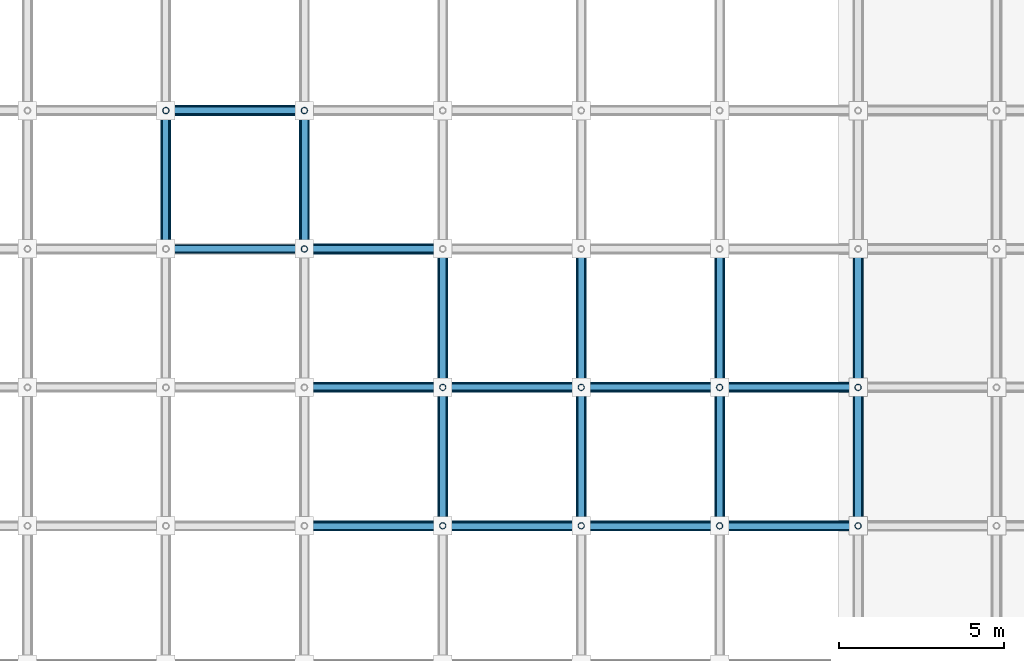
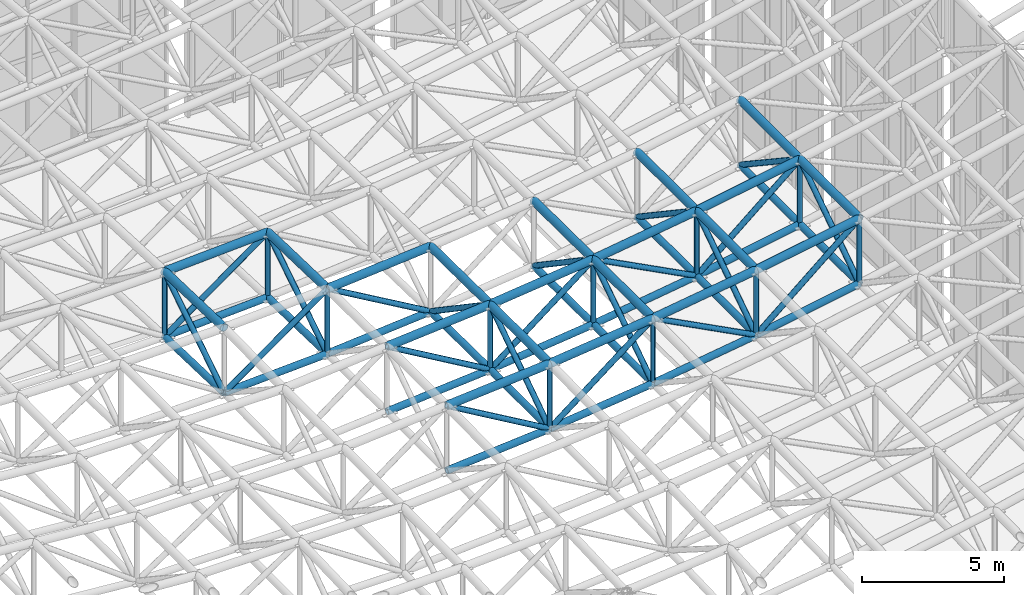
# One storey, part 32 of 93: 73 members.
"""IFC4 building model written with IfcOpenShell, lengths in metres."""

from ifc_helpers import new_model, si_unit, direction, frame, origin, origin_2d, place, context, subcontext, project, spatial, hollow_circle, extrude, material, material_profile, profile_set, type_object, element, save


model = new_model("IFC4")

# Units and contexts
model_context = context("Model", 3, precision=1e-05, world=origin(), true_north=direction((0.0, 1.0)))
body_context = subcontext(model_context, "Body", "Model", "MODEL_VIEW")
ifc_project = project(units=[si_unit("LENGTHUNIT", "METRE"), si_unit("AREAUNIT", "SQUARE_METRE"), si_unit("VOLUMEUNIT", "CUBIC_METRE"), si_unit("PLANEANGLEUNIT", "RADIAN"), si_unit("MASSUNIT", "GRAM", prefix="KILO")], contexts=[model_context])

# Site, building, storey
site_placement = place(None, origin())
site = spatial("IfcSite", under=ifc_project, at=site_placement, CompositionType="ELEMENT")
building_placement = place(site_placement, origin())
building = spatial("IfcBuilding", under=site, at=building_placement, Name="Cumbredor Promenade Congress Hotel", CompositionType="ELEMENT")
storey_placement = place(building_placement, frame((0.0, 0.0, 21.840087890625)))
storey = spatial("IfcBuildingStorey", under=building, at=storey_placement, Name="L06", CompositionType="ELEMENT", Elevation=21.840087890625)

# Members
ifc_material = material(Name="Steel ASTM A500 Grade C", Category="steel")
ifc_material_profile_1 = material_profile(ifc_material, hollow_circle(Radius=0.136474609375, WallThickness=0.01611328125, at=origin_2d()), Name="CHS 273.0x16")
ifc_profile_set_1 = profile_set([ifc_material_profile_1], Name="Steel ASTM A500 Grade C")
member_type_1 = type_object("IfcMemberType", Name="Plenary Roof Space Frame Bottom Chord", PredefinedType="CHORD", material=ifc_profile_set_1)
member_1_placement = place(storey_placement, frame((42.0, 33.60009765625, 8.203369140625), z_axis=(0.996737619939, 0.0, 0.080710079903), x_axis=(0.0, 1.0, 0.0)))
element("IfcMember", 1, at=member_1_placement, inside=storey, type_object=member_type_1, Name="Plenary Congress Hall X Bottom Chord 12.9", PredefinedType="CHORD", context=body_context, shape_type="SweptSolid", body=[
    extrude(hollow_circle(Radius=0.136474609375, WallThickness=0.01611328125, at=origin_2d()), origin(), (0.0, 0.0, 1.0), 4.213623046875),
])
member_2_placement = place(storey_placement, frame((46.199951171875, 33.60009765625, 8.54345703125), z_axis=(0.99363687889, 0.0, 0.112631047715), x_axis=(0.0, 1.0, 0.0)))
element("IfcMember", 2, at=member_2_placement, inside=storey, type_object=member_type_1, Name="Plenary Congress Hall X Bottom Chord 13.9", PredefinedType="CHORD", context=body_context, shape_type="SweptSolid", body=[
    extrude(hollow_circle(Radius=0.136474609375, WallThickness=0.01611328125, at=origin_2d()), origin(), (0.0, 0.0, 1.0), 4.226806640625),
])
member_3_placement = place(storey_placement, frame((50.39990234375, 33.60009765625, 9.01953125), z_axis=(0.989556923494, 0.0, 0.144142620918), x_axis=(0.0, 1.0, 0.0)))
element("IfcMember", 3, at=member_3_placement, inside=storey, type_object=member_type_1, Name="Plenary Congress Hall X Bottom Chord 14.9", PredefinedType="CHORD", context=body_context, shape_type="SweptSolid", body=[
    extrude(hollow_circle(Radius=0.136474609375, WallThickness=0.01611328125, at=origin_2d()), origin(), (0.0, 0.0, 1.0), 4.24462890625),
])
member_4_placement = place(storey_placement, frame((54.60009765625, 33.60009765625, 9.63134765625), z_axis=(0.984496470667, 0.0, 0.175404387758), x_axis=(0.0, 1.0, 0.0)))
element("IfcMember", 4, at=member_4_placement, inside=storey, type_object=member_type_1, Name="Plenary Congress Hall X Bottom Chord 15.9", PredefinedType="CHORD", context=body_context, shape_type="SweptSolid", body=[
    extrude(hollow_circle(Radius=0.136474609375, WallThickness=0.01611328125, at=origin_2d()), origin(), (0.0, 0.0, 1.0), 4.26611328125),
])
member_5_placement = place(storey_placement, frame((42.0, 37.800048828125, 8.203369140625), z_axis=(0.996737619939, 0.0, 0.080710079903), x_axis=(0.0, 1.0, 0.0)))
element("IfcMember", 5, at=member_5_placement, inside=storey, type_object=member_type_1, Name="Plenary Congress Hall X Bottom Chord 12.10", PredefinedType="CHORD", context=body_context, shape_type="SweptSolid", body=[
    extrude(hollow_circle(Radius=0.136474609375, WallThickness=0.01611328125, at=origin_2d()), origin(), (0.0, 0.0, 1.0), 4.213623046875),
])
member_6_placement = place(storey_placement, frame((46.199951171875, 37.800048828125, 8.54345703125), z_axis=(0.99363687889, 0.0, 0.112631047715), x_axis=(0.0, 1.0, 0.0)))
element("IfcMember", 6, at=member_6_placement, inside=storey, type_object=member_type_1, Name="Plenary Congress Hall X Bottom Chord 13.10", PredefinedType="CHORD", context=body_context, shape_type="SweptSolid", body=[
    extrude(hollow_circle(Radius=0.136474609375, WallThickness=0.01611328125, at=origin_2d()), origin(), (0.0, 0.0, 1.0), 4.226806640625),
])
member_7_placement = place(storey_placement, frame((50.39990234375, 37.800048828125, 9.01953125), z_axis=(0.989556923494, 0.0, 0.144142620918), x_axis=(0.0, 1.0, 0.0)))
element("IfcMember", 7, at=member_7_placement, inside=storey, type_object=member_type_1, Name="Plenary Congress Hall X Bottom Chord 14.10", PredefinedType="CHORD", context=body_context, shape_type="SweptSolid", body=[
    extrude(hollow_circle(Radius=0.136474609375, WallThickness=0.01611328125, at=origin_2d()), origin(), (0.0, 0.0, 1.0), 4.24462890625),
])
member_8_placement = place(storey_placement, frame((54.60009765625, 37.800048828125, 9.63134765625), z_axis=(0.984496470667, 0.0, 0.175404387758), x_axis=(0.0, 1.0, 0.0)))
element("IfcMember", 8, at=member_8_placement, inside=storey, type_object=member_type_1, Name="Plenary Congress Hall X Bottom Chord 15.10", PredefinedType="CHORD", context=body_context, shape_type="SweptSolid", body=[
    extrude(hollow_circle(Radius=0.136474609375, WallThickness=0.01611328125, at=origin_2d()), origin(), (0.0, 0.0, 1.0), 4.26611328125),
])
member_9_placement = place(storey_placement, frame((37.800048828125, 42.0, 7.934814453125), z_axis=(0.998749876407, 0.0, 0.049986842038), x_axis=(0.0, 1.0, 0.0)))
element("IfcMember", 9, at=member_9_placement, inside=storey, type_object=member_type_1, Name="Plenary Congress Hall X Bottom Chord 11.11", PredefinedType="CHORD", context=body_context, shape_type="SweptSolid", body=[
    extrude(hollow_circle(Radius=0.136474609375, WallThickness=0.01611328125, at=origin_2d()), origin(), (0.0, 0.0, 1.0), 4.205322265625),
])
member_10_placement = place(storey_placement, frame((42.0, 42.0, 8.14501953125), z_axis=(0.996534162961, 0.0, 0.083184506075), x_axis=(0.0, 1.0, 0.0)))
element("IfcMember", 10, at=member_10_placement, inside=storey, type_object=member_type_1, Name="Plenary Congress Hall X Bottom Chord 12.11", PredefinedType="CHORD", context=body_context, shape_type="SweptSolid", body=[
    extrude(hollow_circle(Radius=0.136474609375, WallThickness=0.01611328125, at=origin_2d()), origin(), (0.0, 0.0, 1.0), 4.214599609375),
])
member_11_placement = place(storey_placement, frame((37.800048828125, 46.199951171875, 7.80615234375), z_axis=(0.998597712555, 0.0, 0.052939668305), x_axis=(0.0, 1.0, 0.0)))
element("IfcMember", 11, at=member_11_placement, inside=storey, type_object=member_type_1, Name="Plenary Congress Hall X Bottom Chord 11.12", PredefinedType="CHORD", context=body_context, shape_type="SweptSolid", body=[
    extrude(hollow_circle(Radius=0.136474609375, WallThickness=0.01611328125, at=origin_2d()), origin(), (0.0, 0.0, 1.0), 4.205810546875),
])
member_12_placement = place(storey_placement, frame((37.800048828125, 42.0, 7.934814453125), z_axis=(0.0, 0.999531103152, -0.030619827435), x_axis=(-1.0, 0.0, 0.0)))
element("IfcMember", 12, at=member_12_placement, inside=storey, type_object=member_type_1, Name="Plenary Congress Hall Y Bottom Chord 11.11", PredefinedType="CHORD", context=body_context, shape_type="SweptSolid", body=[
    extrude(hollow_circle(Radius=0.136474609375, WallThickness=0.01611328125, at=origin_2d()), origin(), (0.0, 0.0, 1.0), 4.201904296875),
])
member_13_placement = place(storey_placement, frame((42.0, 42.0, 8.14501953125), z_axis=(0.0, 0.999617416492, -0.027659006583), x_axis=(-1.0, 0.0, 0.0)))
element("IfcMember", 13, at=member_13_placement, inside=storey, type_object=member_type_1, Name="Plenary Congress Hall Y Bottom Chord 12.11", PredefinedType="CHORD", context=body_context, shape_type="SweptSolid", body=[
    extrude(hollow_circle(Radius=0.136474609375, WallThickness=0.01611328125, at=origin_2d()), origin(), (0.0, 0.0, 1.0), 4.20166015625),
])
member_14_placement = place(storey_placement, frame((46.199951171875, 33.60009765625, 8.54345703125), z_axis=(0.0, 1.0, 0.0), x_axis=(-1.0, 0.0, 0.0)))
element("IfcMember", 14, at=member_14_placement, inside=storey, type_object=member_type_1, Name="Plenary Congress Hall Y Bottom Chord 13.9", PredefinedType="CHORD", context=body_context, shape_type="SweptSolid", body=[
    extrude(hollow_circle(Radius=0.136474609375, WallThickness=0.01611328125, at=origin_2d()), origin(), (0.0, 0.0, 1.0), 4.199951171875),
])
member_15_placement = place(storey_placement, frame((46.199951171875, 37.800048828125, 8.54345703125), z_axis=(0.0, 0.999935101974, -0.011392622216), x_axis=(-1.0, 0.0, 0.0)))
element("IfcMember", 15, at=member_15_placement, inside=storey, type_object=member_type_1, Name="Plenary Congress Hall Y Bottom Chord 13.10", PredefinedType="CHORD", context=body_context, shape_type="SweptSolid", body=[
    extrude(hollow_circle(Radius=0.136474609375, WallThickness=0.01611328125, at=origin_2d()), origin(), (0.0, 0.0, 1.0), 4.2001953125),
])
member_16_placement = place(storey_placement, frame((50.39990234375, 33.60009765625, 9.01953125), z_axis=(0.0, 1.0, 0.0), x_axis=(-1.0, 0.0, 0.0)))
element("IfcMember", 16, at=member_16_placement, inside=storey, type_object=member_type_1, Name="Plenary Congress Hall Y Bottom Chord 14.9", PredefinedType="CHORD", context=body_context, shape_type="SweptSolid", body=[
    extrude(hollow_circle(Radius=0.136474609375, WallThickness=0.01611328125, at=origin_2d()), origin(), (0.0, 0.0, 1.0), 4.199951171875),
])
member_17_placement = place(storey_placement, frame((50.39990234375, 37.800048828125, 9.01953125), z_axis=(0.0, 0.999967826461, -0.008021598561), x_axis=(-1.0, 0.0, 0.0)))
element("IfcMember", 17, at=member_17_placement, inside=storey, type_object=member_type_1, Name="Plenary Congress Hall Y Bottom Chord 14.10", PredefinedType="CHORD", context=body_context, shape_type="SweptSolid", body=[
    extrude(hollow_circle(Radius=0.136474609375, WallThickness=0.01611328125, at=origin_2d()), origin(), (0.0, 0.0, 1.0), 4.2001953125),
])
for number, where, z_axis, x_axis, name in (
    (18, (54.60009765625, 33.60009765625, 9.63134765625), (0.0, 1.0, 0.0), (-1.0, 0.0, 0.0), "Plenary Congress Hall Y Bottom Chord 15.9"),
    (19, (54.60009765625, 37.800048828125, 9.63134765625), (0.0, 0.999993917807, -0.003487742549), (-1.0, 0.0, 0.0), "Plenary Congress Hall Y Bottom Chord 15.10"),
    (20, (58.800048828125, 33.60009765625, 10.379638671875), (0.0, 1.0, 0.0), (-1.0, 0.0, 0.0), "Plenary Congress Hall Y Bottom Chord 16.9"),
    (21, (58.800048828125, 37.800048828125, 10.379638671875), (0.0, 0.999998160125, 0.00191826654), (-1.0, 0.0, 0.0), "Plenary Congress Hall Y Bottom Chord 16.10"),
):
    element("IfcMember", number, at=place(storey_placement, frame(where, z_axis=z_axis, x_axis=x_axis)), inside=storey, type_object=member_type_1, Name=name, PredefinedType="CHORD", context=body_context, shape_type="SweptSolid", body=[
        extrude(hollow_circle(Radius=0.136474609375, WallThickness=0.01611328125, at=origin_2d()), origin(), (0.0, 0.0, 1.0), 4.199951171875),
    ])
ifc_material_profile_2 = material_profile(ifc_material, hollow_circle(Radius=0.161865234375, WallThickness=0.01611328125, at=origin_2d()), Name="CHS 323.9x16")
ifc_profile_set_2 = profile_set([ifc_material_profile_2], Name="Steel ASTM A500 Grade C")
member_type_2 = type_object("IfcMemberType", Name="Plenary Roof Space Frame Top Chord", PredefinedType="CHORD", material=ifc_profile_set_2)
member_18_placement = place(storey_placement, frame((42.0, 33.60009765625, 11.00341796875), z_axis=(0.996737619939, 0.0, 0.080710079903), x_axis=(0.0, 1.0, 0.0)))
element("IfcMember", 22, at=member_18_placement, inside=storey, type_object=member_type_2, Name="Plenary Congress Hall X Top Chord 12.9", PredefinedType="CHORD", context=body_context, shape_type="SweptSolid", body=[
    extrude(hollow_circle(Radius=0.161865234375, WallThickness=0.01611328125, at=origin_2d()), origin(), (0.0, 0.0, 1.0), 4.213623046875),
])
member_19_placement = place(storey_placement, frame((46.199951171875, 33.60009765625, 11.343505859375), z_axis=(0.99363687889, 0.0, 0.112631047715), x_axis=(0.0, 1.0, 0.0)))
element("IfcMember", 23, at=member_19_placement, inside=storey, type_object=member_type_2, Name="Plenary Congress Hall X Top Chord 13.9", PredefinedType="CHORD", context=body_context, shape_type="SweptSolid", body=[
    extrude(hollow_circle(Radius=0.161865234375, WallThickness=0.01611328125, at=origin_2d()), origin(), (0.0, 0.0, 1.0), 4.226806640625),
])
member_20_placement = place(storey_placement, frame((50.39990234375, 33.60009765625, 11.819580078125), z_axis=(0.989556923494, 0.0, 0.144142620918), x_axis=(0.0, 1.0, 0.0)))
element("IfcMember", 24, at=member_20_placement, inside=storey, type_object=member_type_2, Name="Plenary Congress Hall X Top Chord 14.9", PredefinedType="CHORD", context=body_context, shape_type="SweptSolid", body=[
    extrude(hollow_circle(Radius=0.161865234375, WallThickness=0.01611328125, at=origin_2d()), origin(), (0.0, 0.0, 1.0), 4.24462890625),
])
member_21_placement = place(storey_placement, frame((54.60009765625, 33.60009765625, 12.431396484375), z_axis=(0.984496470667, 0.0, 0.175404387758), x_axis=(0.0, 1.0, 0.0)))
element("IfcMember", 25, at=member_21_placement, inside=storey, type_object=member_type_2, Name="Plenary Congress Hall X Top Chord 15.9", PredefinedType="CHORD", context=body_context, shape_type="SweptSolid", body=[
    extrude(hollow_circle(Radius=0.161865234375, WallThickness=0.01611328125, at=origin_2d()), origin(), (0.0, 0.0, 1.0), 4.26611328125),
])
member_22_placement = place(storey_placement, frame((42.0, 37.800048828125, 11.00341796875), z_axis=(0.996737619939, 0.0, 0.080710079903), x_axis=(0.0, 1.0, 0.0)))
element("IfcMember", 26, at=member_22_placement, inside=storey, type_object=member_type_2, Name="Plenary Congress Hall X Top Chord 12.10", PredefinedType="CHORD", context=body_context, shape_type="SweptSolid", body=[
    extrude(hollow_circle(Radius=0.161865234375, WallThickness=0.01611328125, at=origin_2d()), origin(), (0.0, 0.0, 1.0), 4.213623046875),
])
member_23_placement = place(storey_placement, frame((46.199951171875, 37.800048828125, 11.343505859375), z_axis=(0.99363687889, 0.0, 0.112631047715), x_axis=(0.0, 1.0, 0.0)))
element("IfcMember", 27, at=member_23_placement, inside=storey, type_object=member_type_2, Name="Plenary Congress Hall X Top Chord 13.10", PredefinedType="CHORD", context=body_context, shape_type="SweptSolid", body=[
    extrude(hollow_circle(Radius=0.161865234375, WallThickness=0.01611328125, at=origin_2d()), origin(), (0.0, 0.0, 1.0), 4.226806640625),
])
member_24_placement = place(storey_placement, frame((50.39990234375, 37.800048828125, 11.819580078125), z_axis=(0.989556923494, 0.0, 0.144142620918), x_axis=(0.0, 1.0, 0.0)))
element("IfcMember", 28, at=member_24_placement, inside=storey, type_object=member_type_2, Name="Plenary Congress Hall X Top Chord 14.10", PredefinedType="CHORD", context=body_context, shape_type="SweptSolid", body=[
    extrude(hollow_circle(Radius=0.161865234375, WallThickness=0.01611328125, at=origin_2d()), origin(), (0.0, 0.0, 1.0), 4.24462890625),
])
member_25_placement = place(storey_placement, frame((54.60009765625, 37.800048828125, 12.431396484375), z_axis=(0.984496470667, 0.0, 0.175404387758), x_axis=(0.0, 1.0, 0.0)))
element("IfcMember", 29, at=member_25_placement, inside=storey, type_object=member_type_2, Name="Plenary Congress Hall X Top Chord 15.10", PredefinedType="CHORD", context=body_context, shape_type="SweptSolid", body=[
    extrude(hollow_circle(Radius=0.161865234375, WallThickness=0.01611328125, at=origin_2d()), origin(), (0.0, 0.0, 1.0), 4.26611328125),
])
member_26_placement = place(storey_placement, frame((42.0, 42.0, 10.945068359375), z_axis=(0.996538963329, 0.0, 0.083126978572), x_axis=(0.0, 1.0, 0.0)))
element("IfcMember", 30, at=member_26_placement, inside=storey, type_object=member_type_2, Name="Plenary Congress Hall X Top Chord 12.11", PredefinedType="CHORD", context=body_context, shape_type="SweptSolid", body=[
    extrude(hollow_circle(Radius=0.161865234375, WallThickness=0.01611328125, at=origin_2d()), origin(), (0.0, 0.0, 1.0), 4.214599609375),
])
member_27_placement = place(storey_placement, frame((37.800048828125, 46.199951171875, 10.606201171875), z_axis=(0.998600779613, 0.0, 0.052881782842), x_axis=(0.0, 1.0, 0.0)))
element("IfcMember", 31, at=member_27_placement, inside=storey, type_object=member_type_2, Name="Plenary Congress Hall X Top Chord 11.12", PredefinedType="CHORD", context=body_context, shape_type="SweptSolid", body=[
    extrude(hollow_circle(Radius=0.161865234375, WallThickness=0.01611328125, at=origin_2d()), origin(), (0.0, 0.0, 1.0), 4.205810546875),
])
member_28_placement = place(storey_placement, frame((37.800048828125, 42.0, 10.73486328125), z_axis=(0.0, 0.999531103152, -0.030619827435), x_axis=(-1.0, 0.0, 0.0)))
element("IfcMember", 32, at=member_28_placement, inside=storey, type_object=member_type_2, Name="Plenary Congress Hall Y Top Chord 11.11", PredefinedType="CHORD", context=body_context, shape_type="SweptSolid", body=[
    extrude(hollow_circle(Radius=0.161865234375, WallThickness=0.01611328125, at=origin_2d()), origin(), (0.0, 0.0, 1.0), 4.201904296875),
])
member_29_placement = place(storey_placement, frame((42.0, 42.0, 10.945068359375), z_axis=(0.0, 0.999615808237, -0.027717069147), x_axis=(-1.0, 0.0, 0.0)))
element("IfcMember", 33, at=member_29_placement, inside=storey, type_object=member_type_2, Name="Plenary Congress Hall Y Top Chord 12.11", PredefinedType="CHORD", context=body_context, shape_type="SweptSolid", body=[
    extrude(hollow_circle(Radius=0.161865234375, WallThickness=0.01611328125, at=origin_2d()), origin(), (0.0, 0.0, 1.0), 4.20166015625),
])
member_30_placement = place(storey_placement, frame((46.199951171875, 33.60009765625, 11.343505859375), z_axis=(0.0, 1.0, 0.0), x_axis=(-1.0, 0.0, 0.0)))
element("IfcMember", 34, at=member_30_placement, inside=storey, type_object=member_type_2, Name="Plenary Congress Hall Y Top Chord 13.9", PredefinedType="CHORD", context=body_context, shape_type="SweptSolid", body=[
    extrude(hollow_circle(Radius=0.161865234375, WallThickness=0.01611328125, at=origin_2d()), origin(), (0.0, 0.0, 1.0), 4.199951171875),
])
member_31_placement = place(storey_placement, frame((46.199951171875, 37.800048828125, 11.343505859375), z_axis=(0.0, 0.999934438125, -0.011450740238), x_axis=(-1.0, 0.0, 0.0)))
element("IfcMember", 35, at=member_31_placement, inside=storey, type_object=member_type_2, Name="Plenary Congress Hall Y Top Chord 13.10", PredefinedType="CHORD", context=body_context, shape_type="SweptSolid", body=[
    extrude(hollow_circle(Radius=0.161865234375, WallThickness=0.01611328125, at=origin_2d()), origin(), (0.0, 0.0, 1.0), 4.2001953125),
])
member_32_placement = place(storey_placement, frame((50.39990234375, 33.60009765625, 11.819580078125), z_axis=(0.0, 1.0, 0.0), x_axis=(-1.0, 0.0, 0.0)))
element("IfcMember", 36, at=member_32_placement, inside=storey, type_object=member_type_2, Name="Plenary Congress Hall Y Top Chord 14.9", PredefinedType="CHORD", context=body_context, shape_type="SweptSolid", body=[
    extrude(hollow_circle(Radius=0.161865234375, WallThickness=0.01611328125, at=origin_2d()), origin(), (0.0, 0.0, 1.0), 4.199951171875),
])
member_33_placement = place(storey_placement, frame((50.39990234375, 37.800048828125, 11.819580078125), z_axis=(0.0, 0.999967826461, -0.008021598561), x_axis=(-1.0, 0.0, 0.0)))
element("IfcMember", 37, at=member_33_placement, inside=storey, type_object=member_type_2, Name="Plenary Congress Hall Y Top Chord 14.10", PredefinedType="CHORD", context=body_context, shape_type="SweptSolid", body=[
    extrude(hollow_circle(Radius=0.161865234375, WallThickness=0.01611328125, at=origin_2d()), origin(), (0.0, 0.0, 1.0), 4.2001953125),
])
for number, where, z_axis, x_axis, name in (
    (38, (54.60009765625, 33.60009765625, 12.431396484375), (0.0, 1.0, 0.0), (-1.0, 0.0, 0.0), "Plenary Congress Hall Y Top Chord 15.9"),
    (39, (54.60009765625, 37.800048828125, 12.431396484375), (0.0, 0.99999371338, -0.003545870866), (-1.0, 0.0, 0.0), "Plenary Congress Hall Y Top Chord 15.10"),
    (40, (58.800048828125, 33.60009765625, 13.1796875), (0.0, 1.0, 0.0), (-1.0, 0.0, 0.0), "Plenary Congress Hall Y Top Chord 16.9"),
    (41, (58.800048828125, 37.800048828125, 13.1796875), (0.0, 0.999998269943, 0.001860137455), (-1.0, 0.0, 0.0), "Plenary Congress Hall Y Top Chord 16.10"),
):
    element("IfcMember", number, at=place(storey_placement, frame(where, z_axis=z_axis, x_axis=x_axis)), inside=storey, type_object=member_type_2, Name=name, PredefinedType="CHORD", context=body_context, shape_type="SweptSolid", body=[
        extrude(hollow_circle(Radius=0.161865234375, WallThickness=0.01611328125, at=origin_2d()), origin(), (0.0, 0.0, 1.0), 4.199951171875),
    ])
ifc_material_profile_3 = material_profile(ifc_material, hollow_circle(Radius=0.109619140625, WallThickness=0.012451171875, at=origin_2d()), Name="CHS 219.1x12.5")
ifc_profile_set_3 = profile_set([ifc_material_profile_3], Name="Steel ASTM A500 Grade C")
member_type_3 = type_object("IfcMemberType", Name="Space Frame Web Diagonal D1", PredefinedType="BRACE", material=ifc_profile_set_3)
member_34_placement = place(storey_placement, frame((42.0, 33.60009765625, 11.00341796875), z_axis=(0.862884298587, 0.0, -0.505401510932), x_axis=(0.0, 1.0, 0.0)))
element("IfcMember", 42, at=member_34_placement, inside=storey, type_object=member_type_3, Name="Plenary Congress Hall X Web Diagonal 12.9", PredefinedType="BRACE", context=body_context, shape_type="SweptSolid", body=[
    extrude(hollow_circle(Radius=0.109619140625, WallThickness=0.012451171875, at=origin_2d()), origin(), (0.0, 0.0, 1.0), 4.867431640625),
])
member_35_placement = place(storey_placement, frame((46.199951171875, 33.60009765625, 8.54345703125), z_axis=(0.788487635623, 0.0, 0.61505060643), x_axis=(0.0, 1.0, 0.0)))
element("IfcMember", 43, at=member_35_placement, inside=storey, type_object=member_type_3, Name="Plenary Congress Hall X Web Diagonal 13.9", PredefinedType="BRACE", context=body_context, shape_type="SweptSolid", body=[
    extrude(hollow_circle(Radius=0.109619140625, WallThickness=0.012451171875, at=origin_2d()), origin(), (0.0, 0.0, 1.0), 5.32666015625),
])
member_36_placement = place(storey_placement, frame((50.39990234375, 33.60009765625, 11.819580078125), z_axis=(0.886859518815, 0.0, -0.462039169213), x_axis=(0.0, 1.0, 0.0)))
element("IfcMember", 44, at=member_36_placement, inside=storey, type_object=member_type_3, Name="Plenary Congress Hall X Web Diagonal 14.9", PredefinedType="BRACE", context=body_context, shape_type="SweptSolid", body=[
    extrude(hollow_circle(Radius=0.109619140625, WallThickness=0.012451171875, at=origin_2d()), origin(), (0.0, 0.0, 1.0), 4.736083984375),
])
member_37_placement = place(storey_placement, frame((54.60009765625, 33.60009765625, 9.63134765625), z_axis=(0.763876190168, 0.0, 0.64536281741), x_axis=(0.0, 1.0, 0.0)))
element("IfcMember", 45, at=member_37_placement, inside=storey, type_object=member_type_3, Name="Plenary Congress Hall X Web Diagonal 15.9", PredefinedType="BRACE", context=body_context, shape_type="SweptSolid", body=[
    extrude(hollow_circle(Radius=0.109619140625, WallThickness=0.012451171875, at=origin_2d()), origin(), (0.0, 0.0, 1.0), 5.498291015625),
])
member_38_placement = place(storey_placement, frame((42.0, 37.800048828125, 11.00341796875), z_axis=(0.862884298587, 0.0, -0.505401510932), x_axis=(0.0, 1.0, 0.0)))
element("IfcMember", 46, at=member_38_placement, inside=storey, type_object=member_type_3, Name="Plenary Congress Hall X Web Diagonal 12.10", PredefinedType="BRACE", context=body_context, shape_type="SweptSolid", body=[
    extrude(hollow_circle(Radius=0.109619140625, WallThickness=0.012451171875, at=origin_2d()), origin(), (0.0, 0.0, 1.0), 4.867431640625),
])
member_39_placement = place(storey_placement, frame((46.199951171875, 37.800048828125, 8.54345703125), z_axis=(0.788487635623, 0.0, 0.61505060643), x_axis=(0.0, 1.0, 0.0)))
element("IfcMember", 47, at=member_39_placement, inside=storey, type_object=member_type_3, Name="Plenary Congress Hall X Web Diagonal 13.10", PredefinedType="BRACE", context=body_context, shape_type="SweptSolid", body=[
    extrude(hollow_circle(Radius=0.109619140625, WallThickness=0.012451171875, at=origin_2d()), origin(), (0.0, 0.0, 1.0), 5.32666015625),
])
member_40_placement = place(storey_placement, frame((50.39990234375, 37.800048828125, 11.819580078125), z_axis=(0.886859518815, 0.0, -0.462039169213), x_axis=(0.0, 1.0, 0.0)))
element("IfcMember", 48, at=member_40_placement, inside=storey, type_object=member_type_3, Name="Plenary Congress Hall X Web Diagonal 14.10", PredefinedType="BRACE", context=body_context, shape_type="SweptSolid", body=[
    extrude(hollow_circle(Radius=0.109619140625, WallThickness=0.012451171875, at=origin_2d()), origin(), (0.0, 0.0, 1.0), 4.736083984375),
])
member_41_placement = place(storey_placement, frame((54.60009765625, 37.800048828125, 9.63134765625), z_axis=(0.763876190168, 0.0, 0.64536281741), x_axis=(0.0, 1.0, 0.0)))
element("IfcMember", 49, at=member_41_placement, inside=storey, type_object=member_type_3, Name="Plenary Congress Hall X Web Diagonal 15.10", PredefinedType="BRACE", context=body_context, shape_type="SweptSolid", body=[
    extrude(hollow_circle(Radius=0.109619140625, WallThickness=0.012451171875, at=origin_2d()), origin(), (0.0, 0.0, 1.0), 5.498291015625),
])
member_42_placement = place(storey_placement, frame((37.800048828125, 42.0, 7.934814453125), z_axis=(0.812790654872, 0.0, 0.58255587831), x_axis=(0.0, 1.0, 0.0)))
element("IfcMember", 50, at=member_42_placement, inside=storey, type_object=member_type_3, Name="Plenary Congress Hall X Web Diagonal 11.11", PredefinedType="BRACE", context=body_context, shape_type="SweptSolid", body=[
    extrude(hollow_circle(Radius=0.109619140625, WallThickness=0.012451171875, at=origin_2d()), origin(), (0.0, 0.0, 1.0), 5.167236328125),
])
member_43_placement = place(storey_placement, frame((42.0, 42.0, 10.945068359375), z_axis=(0.863824427831, 0.0, -0.503792971251), x_axis=(0.0, 1.0, 0.0)))
element("IfcMember", 51, at=member_43_placement, inside=storey, type_object=member_type_3, Name="Plenary Congress Hall X Web Diagonal 12.11", PredefinedType="BRACE", context=body_context, shape_type="SweptSolid", body=[
    extrude(hollow_circle(Radius=0.109619140625, WallThickness=0.012451171875, at=origin_2d()), origin(), (0.0, 0.0, 1.0), 4.862060546875),
])
member_44_placement = place(storey_placement, frame((37.800048828125, 46.199951171875, 7.80615234375), z_axis=(0.81167213609, 0.0, 0.584113296797), x_axis=(0.0, 1.0, 0.0)))
element("IfcMember", 52, at=member_44_placement, inside=storey, type_object=member_type_3, Name="Plenary Congress Hall X Web Diagonal 11.12", PredefinedType="BRACE", context=body_context, shape_type="SweptSolid", body=[
    extrude(hollow_circle(Radius=0.109619140625, WallThickness=0.012451171875, at=origin_2d()), origin(), (0.0, 0.0, 1.0), 5.174560546875),
])
member_45_placement = place(storey_placement, frame((37.800048828125, 42.0, 7.934814453125), z_axis=(0.0, 0.843780625853, 0.536688229268), x_axis=(-1.0, 0.0, 0.0)))
element("IfcMember", 53, at=member_45_placement, inside=storey, type_object=member_type_3, Name="Plenary Congress Hall Y Web Diagonal 11.11", PredefinedType="BRACE", context=body_context, shape_type="SweptSolid", body=[
    extrude(hollow_circle(Radius=0.109619140625, WallThickness=0.012451171875, at=origin_2d()), origin(), (0.0, 0.0, 1.0), 4.9775390625),
])
member_46_placement = place(storey_placement, frame((42.0, 42.0, 8.14501953125), z_axis=(0.0, 0.84266971355, 0.538430825516), x_axis=(-1.0, 0.0, 0.0)))
element("IfcMember", 54, at=member_46_placement, inside=storey, type_object=member_type_3, Name="Plenary Congress Hall Y Web Diagonal 12.11", PredefinedType="BRACE", context=body_context, shape_type="SweptSolid", body=[
    extrude(hollow_circle(Radius=0.109619140625, WallThickness=0.012451171875, at=origin_2d()), origin(), (0.0, 0.0, 1.0), 4.984130859375),
])
member_47_placement = place(storey_placement, frame((46.199951171875, 33.60009765625, 8.54345703125), z_axis=(0.0, 0.832042853317, 0.554711357594), x_axis=(-1.0, 0.0, 0.0)))
element("IfcMember", 55, at=member_47_placement, inside=storey, type_object=member_type_3, Name="Plenary Congress Hall Y Web Diagonal 13.9", PredefinedType="BRACE", context=body_context, shape_type="SweptSolid", body=[
    extrude(hollow_circle(Radius=0.109619140625, WallThickness=0.012451171875, at=origin_2d()), origin(), (0.0, 0.0, 1.0), 5.0478515625),
])
member_48_placement = place(storey_placement, frame((46.199951171875, 37.800048828125, 11.343505859375), z_axis=(0.0, 0.827664938606, -0.561222548907), x_axis=(-1.0, 0.0, 0.0)))
element("IfcMember", 56, at=member_48_placement, inside=storey, type_object=member_type_3, Name="Plenary Congress Hall Y Web Diagonal 13.10", PredefinedType="BRACE", context=body_context, shape_type="SweptSolid", body=[
    extrude(hollow_circle(Radius=0.109619140625, WallThickness=0.012451171875, at=origin_2d()), origin(), (0.0, 0.0, 1.0), 5.074462890625),
])
member_49_placement = place(storey_placement, frame((50.39990234375, 33.60009765625, 9.01953125), z_axis=(0.0, 0.832042853317, 0.554711357594), x_axis=(-1.0, 0.0, 0.0)))
element("IfcMember", 57, at=member_49_placement, inside=storey, type_object=member_type_3, Name="Plenary Congress Hall Y Web Diagonal 14.9", PredefinedType="BRACE", context=body_context, shape_type="SweptSolid", body=[
    extrude(hollow_circle(Radius=0.109619140625, WallThickness=0.012451171875, at=origin_2d()), origin(), (0.0, 0.0, 1.0), 5.0478515625),
])
member_50_placement = place(storey_placement, frame((50.39990234375, 37.800048828125, 11.819580078125), z_axis=(0.0, 0.828960941987, -0.559306496172), x_axis=(-1.0, 0.0, 0.0)))
element("IfcMember", 58, at=member_50_placement, inside=storey, type_object=member_type_3, Name="Plenary Congress Hall Y Web Diagonal 14.10", PredefinedType="BRACE", context=body_context, shape_type="SweptSolid", body=[
    extrude(hollow_circle(Radius=0.109619140625, WallThickness=0.012451171875, at=origin_2d()), origin(), (0.0, 0.0, 1.0), 5.06640625),
])
member_51_placement = place(storey_placement, frame((54.60009765625, 33.60009765625, 9.63134765625), z_axis=(0.0, 0.832042853317, 0.554711357594), x_axis=(-1.0, 0.0, 0.0)))
element("IfcMember", 59, at=member_51_placement, inside=storey, type_object=member_type_3, Name="Plenary Congress Hall Y Web Diagonal 15.9", PredefinedType="BRACE", context=body_context, shape_type="SweptSolid", body=[
    extrude(hollow_circle(Radius=0.109619140625, WallThickness=0.012451171875, at=origin_2d()), origin(), (0.0, 0.0, 1.0), 5.0478515625),
])
member_52_placement = place(storey_placement, frame((54.60009765625, 37.800048828125, 12.431396484375), z_axis=(0.0, 0.83070320693, -0.556715530587), x_axis=(-1.0, 0.0, 0.0)))
element("IfcMember", 60, at=member_52_placement, inside=storey, type_object=member_type_3, Name="Plenary Congress Hall Y Web Diagonal 15.10", PredefinedType="BRACE", context=body_context, shape_type="SweptSolid", body=[
    extrude(hollow_circle(Radius=0.109619140625, WallThickness=0.012451171875, at=origin_2d()), origin(), (0.0, 0.0, 1.0), 5.055908203125),
])
member_53_placement = place(storey_placement, frame((58.800048828125, 33.60009765625, 10.379638671875), z_axis=(0.0, 0.832042853317, 0.554711357594), x_axis=(-1.0, 0.0, 0.0)))
element("IfcMember", 61, at=member_53_placement, inside=storey, type_object=member_type_3, Name="Plenary Congress Hall Y Web Diagonal 16.9", PredefinedType="BRACE", context=body_context, shape_type="SweptSolid", body=[
    extrude(hollow_circle(Radius=0.109619140625, WallThickness=0.012451171875, at=origin_2d()), origin(), (0.0, 0.0, 1.0), 5.0478515625),
])
member_54_placement = place(storey_placement, frame((58.800048828125, 37.800048828125, 13.1796875), z_axis=(0.0, 0.832779432341, -0.55360492869), x_axis=(-1.0, 0.0, 0.0)))
element("IfcMember", 62, at=member_54_placement, inside=storey, type_object=member_type_3, Name="Plenary Congress Hall Y Web Diagonal 16.10", PredefinedType="BRACE", context=body_context, shape_type="SweptSolid", body=[
    extrude(hollow_circle(Radius=0.109619140625, WallThickness=0.012451171875, at=origin_2d()), origin(), (0.0, 0.0, 1.0), 5.043212890625),
])
ifc_material_profile_4 = material_profile(ifc_material, hollow_circle(Radius=0.096923828125, WallThickness=0.010009765625, at=origin_2d()), Name="CHS 193.7x10")
ifc_profile_set_4 = profile_set([ifc_material_profile_4], Name="Steel ASTM A500 Grade C")
member_type_4 = type_object("IfcMemberType", Name="Space Frame Web Post P1", PredefinedType="BRACE", material=ifc_profile_set_4)
for number, where, z_axis, x_axis, name in (
    (63, (37.800048828125, 46.199951171875, 7.80615234375), (0.0, 0.0, 1.0), (1.0, 0.0, 0.0), "Plenary Congress Hall Space Frame Web Post 11.12"),
    (64, (42.0, 42.0, 8.14501953125), (0.0, 0.0, 1.0), (1.0, 0.0, 0.0), "Plenary Congress Hall Space Frame Web Post 12.11"),
):
    element("IfcMember", number, at=place(storey_placement, frame(where, z_axis=z_axis, x_axis=x_axis)), inside=storey, type_object=member_type_4, Name=name, PredefinedType="BRACE", context=body_context, shape_type="SweptSolid", body=[
        extrude(hollow_circle(Radius=0.096923828125, WallThickness=0.010009765625, at=origin_2d()), origin(), (0.0, 0.0, 1.0), 2.800048828125),
    ])
member_55_placement = place(storey_placement, frame((42.0, 46.199951171875, 8.02880859375), z_axis=(0.0, 0.0, 1.0), x_axis=(1.0, 0.0, 0.0)))
element("IfcMember", 65, at=member_55_placement, inside=storey, type_object=member_type_4, Name="Plenary Congress Hall Space Frame Web Post 12.12", PredefinedType="BRACE", context=body_context, shape_type="SweptSolid", body=[
    extrude(hollow_circle(Radius=0.096923828125, WallThickness=0.010009765625, at=origin_2d()), origin(), (0.0, 0.0, 1.0), 2.7998046875),
])
for number, where, z_axis, x_axis, name in (
    (66, (46.199951171875, 33.60009765625, 8.54345703125), (0.0, 0.0, 1.0), (1.0, 0.0, 0.0), "Plenary Congress Hall Space Frame Web Post 13.9"),
    (67, (46.199951171875, 37.800048828125, 8.54345703125), (0.0, 0.0, 1.0), (1.0, 0.0, 0.0), "Plenary Congress Hall Space Frame Web Post 13.10"),
    (68, (50.39990234375, 33.60009765625, 9.01953125), (0.0, 0.0, 1.0), (1.0, 0.0, 0.0), "Plenary Congress Hall Space Frame Web Post 14.9"),
    (69, (50.39990234375, 37.800048828125, 9.01953125), (0.0, 0.0, 1.0), (1.0, 0.0, 0.0), "Plenary Congress Hall Space Frame Web Post 14.10"),
    (70, (54.60009765625, 33.60009765625, 9.63134765625), (0.0, 0.0, 1.0), (1.0, 0.0, 0.0), "Plenary Congress Hall Space Frame Web Post 15.9"),
    (71, (54.60009765625, 37.800048828125, 9.63134765625), (0.0, 0.0, 1.0), (1.0, 0.0, 0.0), "Plenary Congress Hall Space Frame Web Post 15.10"),
    (72, (58.800048828125, 33.60009765625, 10.379638671875), (0.0, 0.0, 1.0), (1.0, 0.0, 0.0), "Plenary Congress Hall Space Frame Web Post 16.9"),
    (73, (58.800048828125, 37.800048828125, 10.379638671875), (0.0, 0.0, 1.0), (1.0, 0.0, 0.0), "Plenary Congress Hall Space Frame Web Post 16.10"),
):
    element("IfcMember", number, at=place(storey_placement, frame(where, z_axis=z_axis, x_axis=x_axis)), inside=storey, type_object=member_type_4, Name=name, PredefinedType="BRACE", context=body_context, shape_type="SweptSolid", body=[
        extrude(hollow_circle(Radius=0.096923828125, WallThickness=0.010009765625, at=origin_2d()), origin(), (0.0, 0.0, 1.0), 2.800048828125),
    ])

save(model, "model.ifc")
